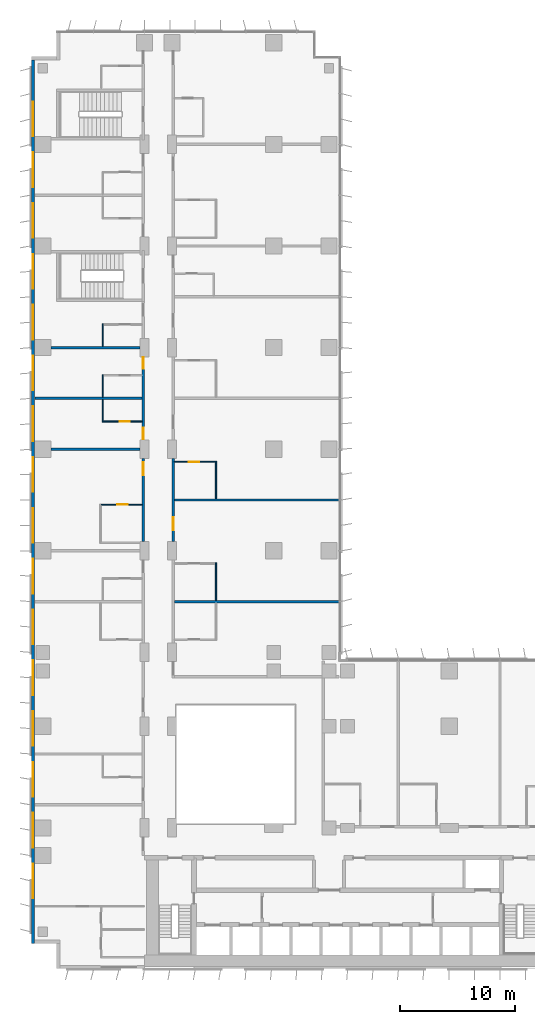
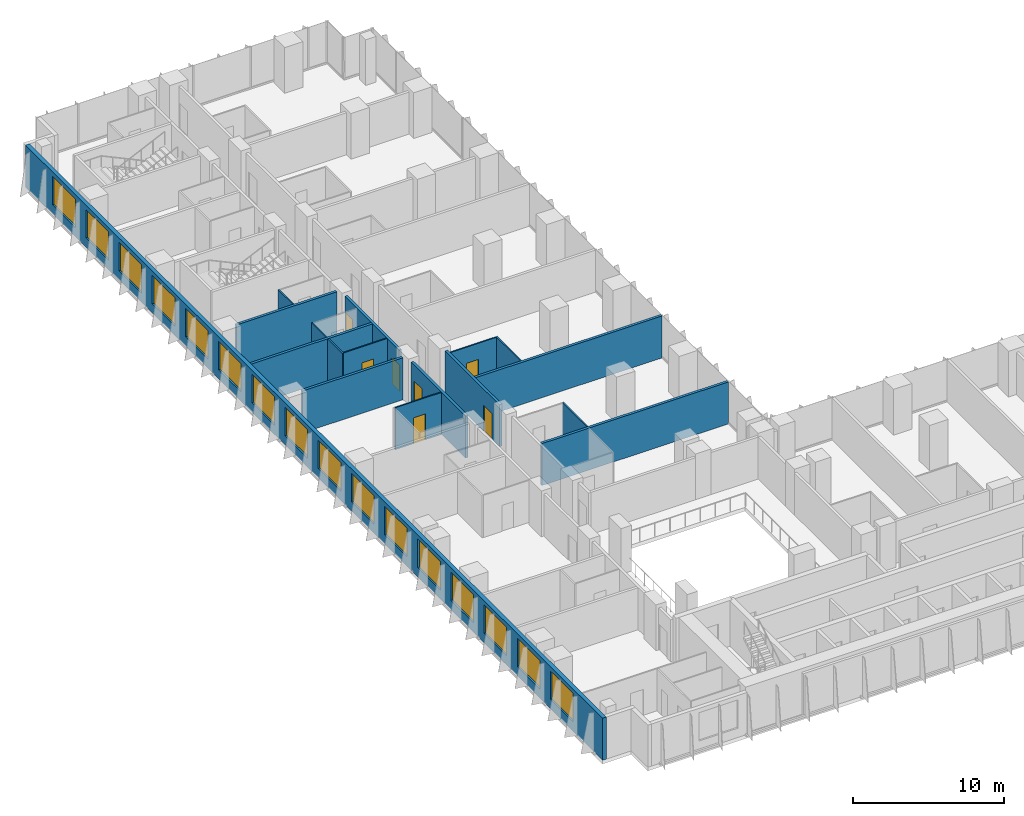
# One storey, part 16 of 24: 17 walls, 16 windows, 7 doors, 23 openings.
"""IFC4 building model written with IfcOpenShell, lengths in metres."""

from ifc_helpers import new_model, si_unit, direction, frame, frame_2d, origin, place, context, subcontext, project, spatial, rectangle, extrude, material, layer, layer_set, type_object, element, fill, save


model = new_model("IFC4")

# Units and contexts
model_context = context("Model", 3, precision=1e-05, world=origin(), true_north=direction((0.0, 1.0)))
body_context = subcontext(model_context, "Body", "Model", "MODEL_VIEW")
ifc_project = project(units=[si_unit("LENGTHUNIT", "METRE"), si_unit("AREAUNIT", "SQUARE_METRE"), si_unit("VOLUMEUNIT", "CUBIC_METRE"), si_unit("PLANEANGLEUNIT", "RADIAN"), si_unit("MASSUNIT", "GRAM", prefix="KILO")], contexts=[model_context])

# Site, building, storey
site_placement = place(None, origin())
site = spatial("IfcSite", under=ifc_project, at=site_placement, CompositionType="ELEMENT")
building_placement = place(site_placement, origin())
building = spatial("IfcBuilding", under=site, at=building_placement, Name="Kemantara Hotel Tower", CompositionType="ELEMENT")
storey_placement = place(building_placement, frame((0.0, 0.0, 48.800048828125)))
storey = spatial("IfcBuildingStorey", under=building, at=storey_placement, Name="L10", CompositionType="ELEMENT", Elevation=48.800048828125)

# Wall, openings, windows
ifc_material_1 = material(Name="Bronze anodised aluminium cladding on insulated steel stud wall", Category="steel")
ifc_layer_1 = layer(ifc_material_1, 0.300048828125)
ifc_layer_set_1 = layer_set([ifc_layer_1], Name="Bronze anodised aluminium cladding on insulated steel stud wall")
wall_type_1 = type_object("IfcWallType", Name="BRONZE METAL-CLAD EXTERNAL WALL 300", PredefinedType="STANDARD", material=ifc_layer_set_1)
wall_1_placement = place(storey_placement, frame((0.14990234375, 78.699951171875, 0.0), z_axis=(0.0, 0.0, 1.0), x_axis=(0.0, -1.0, 0.0)))
wall_1 = element("IfcWall", 1, at=wall_1_placement, inside=storey, type_object=wall_type_1, Name="EXTERNAL WALL L10 T1-R14", PredefinedType="STANDARD", context=body_context, shape_type="SweptSolid", body=[
    extrude(rectangle(XDim=76.5, YDim=0.300048828125, at=frame_2d((38.25, 0.0))), origin(), (0.0, 0.0, 1.0), 3.39990234375),
])
opening_1_placement = place(wall_1_placement, frame((3.60009765625, 0.0, 0.75)))
opening_1 = element("IfcOpeningElement", 2, at=opening_1_placement, cuts=wall_1, Name="Opening W1", PredefinedType="OPENING", context=body_context, shape_type="SweptSolid", body=[
    extrude(rectangle(XDim=3.0, YDim=2.300048828125, at=frame_2d((1.5, 1.14990234375))), frame((0.0, 0.159912109375, 0.0), z_axis=(0.0, -1.0, 0.0), x_axis=(1.0, 0.0, 0.0)), (0.0, 0.0, 1.0), 0.320068359375),
])
opening_2_placement = place(wall_1_placement, frame((8.0, 0.0, 0.75)))
opening_2 = element("IfcOpeningElement", 3, at=opening_2_placement, cuts=wall_1, Name="Opening W1", PredefinedType="OPENING", context=body_context, shape_type="SweptSolid", body=[
    extrude(rectangle(XDim=3.0, YDim=2.300048828125, at=frame_2d((1.5, 1.14990234375))), frame((0.0, 0.159912109375, 0.0), z_axis=(0.0, -1.0, 0.0), x_axis=(1.0, 0.0, 0.0)), (0.0, 0.0, 1.0), 0.320068359375),
])
opening_3_placement = place(wall_1_placement, frame((12.39990234375, 0.0, 0.75)))
opening_3 = element("IfcOpeningElement", 4, at=opening_3_placement, cuts=wall_1, Name="Opening W1", PredefinedType="OPENING", context=body_context, shape_type="SweptSolid", body=[
    extrude(rectangle(XDim=3.0, YDim=2.300048828125, at=frame_2d((1.5, 1.14990234375))), frame((0.0, 0.159912109375, 0.0), z_axis=(0.0, -1.0, 0.0), x_axis=(1.0, 0.0, 0.0)), (0.0, 0.0, 1.0), 0.320068359375),
])
opening_4_placement = place(wall_1_placement, frame((16.800048828125, 0.0, 0.75)))
opening_4 = element("IfcOpeningElement", 5, at=opening_4_placement, cuts=wall_1, Name="Opening W1", PredefinedType="OPENING", context=body_context, shape_type="SweptSolid", body=[
    extrude(rectangle(XDim=3.0, YDim=2.300048828125, at=frame_2d((1.5, 1.14990234375))), frame((0.0, 0.159912109375, 0.0), z_axis=(0.0, -1.0, 0.0), x_axis=(1.0, 0.0, 0.0)), (0.0, 0.0, 1.0), 0.320068359375),
])
opening_5_placement = place(wall_1_placement, frame((21.199951171875, 0.0, 0.75)))
opening_5 = element("IfcOpeningElement", 6, at=opening_5_placement, cuts=wall_1, Name="Opening W1", PredefinedType="OPENING", context=body_context, shape_type="SweptSolid", body=[
    extrude(rectangle(XDim=3.0, YDim=2.300048828125, at=frame_2d((1.5, 1.14990234375))), frame((0.0, 0.159912109375, 0.0), z_axis=(0.0, -1.0, 0.0), x_axis=(1.0, 0.0, 0.0)), (0.0, 0.0, 1.0), 0.320068359375),
])
opening_6_placement = place(wall_1_placement, frame((25.60009765625, 0.0, 0.75)))
opening_6 = element("IfcOpeningElement", 7, at=opening_6_placement, cuts=wall_1, Name="Opening W1", PredefinedType="OPENING", context=body_context, shape_type="SweptSolid", body=[
    extrude(rectangle(XDim=3.0, YDim=2.300048828125, at=frame_2d((1.5, 1.14990234375))), frame((0.0, 0.159912109375, 0.0), z_axis=(0.0, -1.0, 0.0), x_axis=(1.0, 0.0, 0.0)), (0.0, 0.0, 1.0), 0.320068359375),
])
opening_7_placement = place(wall_1_placement, frame((30.0, 0.0, 0.75)))
opening_7 = element("IfcOpeningElement", 8, at=opening_7_placement, cuts=wall_1, Name="Opening W1", PredefinedType="OPENING", context=body_context, shape_type="SweptSolid", body=[
    extrude(rectangle(XDim=3.0, YDim=2.300048828125, at=frame_2d((1.5, 1.14990234375))), frame((0.0, 0.159912109375, 0.0), z_axis=(0.0, -1.0, 0.0), x_axis=(1.0, 0.0, 0.0)), (0.0, 0.0, 1.0), 0.320068359375),
])
opening_8_placement = place(wall_1_placement, frame((34.39990234375, 0.0, 0.75)))
opening_8 = element("IfcOpeningElement", 9, at=opening_8_placement, cuts=wall_1, Name="Opening W1", PredefinedType="OPENING", context=body_context, shape_type="SweptSolid", body=[
    extrude(rectangle(XDim=3.0, YDim=2.300048828125, at=frame_2d((1.5, 1.14990234375))), frame((0.0, 0.159912109375, 0.0), z_axis=(0.0, -1.0, 0.0), x_axis=(1.0, 0.0, 0.0)), (0.0, 0.0, 1.0), 0.320068359375),
])
opening_9_placement = place(wall_1_placement, frame((38.800048828125, 0.0, 0.75)))
opening_9 = element("IfcOpeningElement", 10, at=opening_9_placement, cuts=wall_1, Name="Opening W1", PredefinedType="OPENING", context=body_context, shape_type="SweptSolid", body=[
    extrude(rectangle(XDim=3.0, YDim=2.300048828125, at=frame_2d((1.5, 1.14990234375))), frame((0.0, 0.159912109375, 0.0), z_axis=(0.0, -1.0, 0.0), x_axis=(1.0, 0.0, 0.0)), (0.0, 0.0, 1.0), 0.320068359375),
])
opening_10_placement = place(wall_1_placement, frame((43.199951171875, 0.0, 0.75)))
opening_10 = element("IfcOpeningElement", 11, at=opening_10_placement, cuts=wall_1, Name="Opening W1", PredefinedType="OPENING", context=body_context, shape_type="SweptSolid", body=[
    extrude(rectangle(XDim=3.0, YDim=2.300048828125, at=frame_2d((1.5, 1.14990234375))), frame((0.0, 0.159912109375, 0.0), z_axis=(0.0, -1.0, 0.0), x_axis=(1.0, 0.0, 0.0)), (0.0, 0.0, 1.0), 0.320068359375),
])
opening_11_placement = place(wall_1_placement, frame((47.60009765625, 0.0, 0.75)))
opening_11 = element("IfcOpeningElement", 12, at=opening_11_placement, cuts=wall_1, Name="Opening W1", PredefinedType="OPENING", context=body_context, shape_type="SweptSolid", body=[
    extrude(rectangle(XDim=3.0, YDim=2.300048828125, at=frame_2d((1.5, 1.14990234375))), frame((0.0, 0.159912109375, 0.0), z_axis=(0.0, -1.0, 0.0), x_axis=(1.0, 0.0, 0.0)), (0.0, 0.0, 1.0), 0.320068359375),
])
opening_12_placement = place(wall_1_placement, frame((52.0, 0.0, 0.75)))
opening_12 = element("IfcOpeningElement", 13, at=opening_12_placement, cuts=wall_1, Name="Opening W1", PredefinedType="OPENING", context=body_context, shape_type="SweptSolid", body=[
    extrude(rectangle(XDim=3.0, YDim=2.300048828125, at=frame_2d((1.5, 1.14990234375))), frame((0.0, 0.159912109375, 0.0), z_axis=(0.0, -1.0, 0.0), x_axis=(1.0, 0.0, 0.0)), (0.0, 0.0, 1.0), 0.320068359375),
])
opening_13_placement = place(wall_1_placement, frame((56.39990234375, 0.0, 0.75)))
opening_13 = element("IfcOpeningElement", 14, at=opening_13_placement, cuts=wall_1, Name="Opening W1", PredefinedType="OPENING", context=body_context, shape_type="SweptSolid", body=[
    extrude(rectangle(XDim=3.0, YDim=2.300048828125, at=frame_2d((1.5, 1.14990234375))), frame((0.0, 0.159912109375, 0.0), z_axis=(0.0, -1.0, 0.0), x_axis=(1.0, 0.0, 0.0)), (0.0, 0.0, 1.0), 0.320068359375),
])
opening_14_placement = place(wall_1_placement, frame((60.800048828125, 0.0, 0.75)))
opening_14 = element("IfcOpeningElement", 15, at=opening_14_placement, cuts=wall_1, Name="Opening W1", PredefinedType="OPENING", context=body_context, shape_type="SweptSolid", body=[
    extrude(rectangle(XDim=3.0, YDim=2.300048828125, at=frame_2d((1.5, 1.14990234375))), frame((0.0, 0.159912109375, 0.0), z_axis=(0.0, -1.0, 0.0), x_axis=(1.0, 0.0, 0.0)), (0.0, 0.0, 1.0), 0.320068359375),
])
opening_15_placement = place(wall_1_placement, frame((65.199951171875, 0.0, 0.75)))
opening_15 = element("IfcOpeningElement", 16, at=opening_15_placement, cuts=wall_1, Name="Opening W1", PredefinedType="OPENING", context=body_context, shape_type="SweptSolid", body=[
    extrude(rectangle(XDim=3.0, YDim=2.300048828125, at=frame_2d((1.5, 1.14990234375))), frame((0.0, 0.159912109375, 0.0), z_axis=(0.0, -1.0, 0.0), x_axis=(1.0, 0.0, 0.0)), (0.0, 0.0, 1.0), 0.320068359375),
])
opening_16_placement = place(wall_1_placement, frame((69.60009765625, 0.0, 0.75)))
opening_16 = element("IfcOpeningElement", 17, at=opening_16_placement, cuts=wall_1, Name="Opening W1", PredefinedType="OPENING", context=body_context, shape_type="SweptSolid", body=[
    extrude(rectangle(XDim=3.0, YDim=2.300048828125, at=frame_2d((1.5, 1.14990234375))), frame((0.0, 0.159912109375, 0.0), z_axis=(0.0, -1.0, 0.0), x_axis=(1.0, 0.0, 0.0)), (0.0, 0.0, 1.0), 0.320068359375),
])
ifc_material_2 = material(Name="Low-E tinted double insulated glass in bronze anodised aluminium frame", Category="aluminium")
window_type = type_object("IfcWindowType", Name="CHICAGO WINDOW, TRIPLE PANEL 3000x2300", PartitioningType="TRIPLE_PANEL_VERTICAL", PredefinedType="WINDOW", material=ifc_material_2)
window_1_placement = place(opening_1_placement, origin())
window_1 = element("IfcWindow", 18, at=window_1_placement, inside=storey, type_object=window_type, Name="CHICAGO WINDOW L10 T1-R14-54", OverallHeight=2.300048828125, OverallWidth=3.0, PartitioningType="SINGLE_PANEL", PredefinedType="WINDOW", context=body_context, shape_type="SweptSolid", body=[
    extrude(rectangle(XDim=3.0, YDim=2.300048828125, at=frame_2d((1.5, 1.14990234375))), frame((0.0, 0.030029296875, 0.0), z_axis=(0.0, -1.0, 0.0), x_axis=(1.0, 0.0, 0.0)), (0.0, 0.0, 1.0), 0.06005859375),
])
fill(opening_1, window_1)
window_2_placement = place(opening_2_placement, origin())
window_2 = element("IfcWindow", 19, at=window_2_placement, inside=storey, type_object=window_type, Name="CHICAGO WINDOW L10 T1-R14-98", OverallHeight=2.300048828125, OverallWidth=3.0, PartitioningType="SINGLE_PANEL", PredefinedType="WINDOW", context=body_context, shape_type="SweptSolid", body=[
    extrude(rectangle(XDim=3.0, YDim=2.300048828125, at=frame_2d((1.5, 1.14990234375))), frame((0.0, 0.030029296875, 0.0), z_axis=(0.0, -1.0, 0.0), x_axis=(1.0, 0.0, 0.0)), (0.0, 0.0, 1.0), 0.06005859375),
])
fill(opening_2, window_2)
window_3_placement = place(opening_3_placement, origin())
window_3 = element("IfcWindow", 20, at=window_3_placement, inside=storey, type_object=window_type, Name="CHICAGO WINDOW L10 T1-R14-142", OverallHeight=2.300048828125, OverallWidth=3.0, PartitioningType="SINGLE_PANEL", PredefinedType="WINDOW", context=body_context, shape_type="SweptSolid", body=[
    extrude(rectangle(XDim=3.0, YDim=2.300048828125, at=frame_2d((1.5, 1.14990234375))), frame((0.0, 0.030029296875, 0.0), z_axis=(0.0, -1.0, 0.0), x_axis=(1.0, 0.0, 0.0)), (0.0, 0.0, 1.0), 0.06005859375),
])
fill(opening_3, window_3)
window_4_placement = place(opening_4_placement, origin())
window_4 = element("IfcWindow", 21, at=window_4_placement, inside=storey, type_object=window_type, Name="CHICAGO WINDOW L10 T1-R14-186", OverallHeight=2.300048828125, OverallWidth=3.0, PartitioningType="SINGLE_PANEL", PredefinedType="WINDOW", context=body_context, shape_type="SweptSolid", body=[
    extrude(rectangle(XDim=3.0, YDim=2.300048828125, at=frame_2d((1.5, 1.14990234375))), frame((0.0, 0.030029296875, 0.0), z_axis=(0.0, -1.0, 0.0), x_axis=(1.0, 0.0, 0.0)), (0.0, 0.0, 1.0), 0.06005859375),
])
fill(opening_4, window_4)
window_5_placement = place(opening_5_placement, origin())
window_5 = element("IfcWindow", 22, at=window_5_placement, inside=storey, type_object=window_type, Name="CHICAGO WINDOW L10 T1-R14-230", OverallHeight=2.300048828125, OverallWidth=3.0, PartitioningType="SINGLE_PANEL", PredefinedType="WINDOW", context=body_context, shape_type="SweptSolid", body=[
    extrude(rectangle(XDim=3.0, YDim=2.300048828125, at=frame_2d((1.5, 1.14990234375))), frame((0.0, 0.030029296875, 0.0), z_axis=(0.0, -1.0, 0.0), x_axis=(1.0, 0.0, 0.0)), (0.0, 0.0, 1.0), 0.06005859375),
])
fill(opening_5, window_5)
window_6_placement = place(opening_6_placement, origin())
window_6 = element("IfcWindow", 23, at=window_6_placement, inside=storey, type_object=window_type, Name="CHICAGO WINDOW L10 T1-R14-274", OverallHeight=2.300048828125, OverallWidth=3.0, PartitioningType="SINGLE_PANEL", PredefinedType="WINDOW", context=body_context, shape_type="SweptSolid", body=[
    extrude(rectangle(XDim=3.0, YDim=2.300048828125, at=frame_2d((1.5, 1.14990234375))), frame((0.0, 0.030029296875, 0.0), z_axis=(0.0, -1.0, 0.0), x_axis=(1.0, 0.0, 0.0)), (0.0, 0.0, 1.0), 0.06005859375),
])
fill(opening_6, window_6)
window_7_placement = place(opening_7_placement, origin())
window_7 = element("IfcWindow", 24, at=window_7_placement, inside=storey, type_object=window_type, Name="CHICAGO WINDOW L10 T1-R14-318", OverallHeight=2.300048828125, OverallWidth=3.0, PartitioningType="SINGLE_PANEL", PredefinedType="WINDOW", context=body_context, shape_type="SweptSolid", body=[
    extrude(rectangle(XDim=3.0, YDim=2.300048828125, at=frame_2d((1.5, 1.14990234375))), frame((0.0, 0.030029296875, 0.0), z_axis=(0.0, -1.0, 0.0), x_axis=(1.0, 0.0, 0.0)), (0.0, 0.0, 1.0), 0.06005859375),
])
fill(opening_7, window_7)
window_8_placement = place(opening_8_placement, origin())
window_8 = element("IfcWindow", 25, at=window_8_placement, inside=storey, type_object=window_type, Name="CHICAGO WINDOW L10 T1-R14-362", OverallHeight=2.300048828125, OverallWidth=3.0, PartitioningType="SINGLE_PANEL", PredefinedType="WINDOW", context=body_context, shape_type="SweptSolid", body=[
    extrude(rectangle(XDim=3.0, YDim=2.300048828125, at=frame_2d((1.5, 1.14990234375))), frame((0.0, 0.030029296875, 0.0), z_axis=(0.0, -1.0, 0.0), x_axis=(1.0, 0.0, 0.0)), (0.0, 0.0, 1.0), 0.06005859375),
])
fill(opening_8, window_8)
window_9_placement = place(opening_9_placement, origin())
window_9 = element("IfcWindow", 26, at=window_9_placement, inside=storey, type_object=window_type, Name="CHICAGO WINDOW L10 T1-R14-406", OverallHeight=2.300048828125, OverallWidth=3.0, PartitioningType="SINGLE_PANEL", PredefinedType="WINDOW", context=body_context, shape_type="SweptSolid", body=[
    extrude(rectangle(XDim=3.0, YDim=2.300048828125, at=frame_2d((1.5, 1.14990234375))), frame((0.0, 0.030029296875, 0.0), z_axis=(0.0, -1.0, 0.0), x_axis=(1.0, 0.0, 0.0)), (0.0, 0.0, 1.0), 0.06005859375),
])
fill(opening_9, window_9)
window_10_placement = place(opening_10_placement, origin())
window_10 = element("IfcWindow", 27, at=window_10_placement, inside=storey, type_object=window_type, Name="CHICAGO WINDOW L10 T1-R14-450", OverallHeight=2.300048828125, OverallWidth=3.0, PartitioningType="SINGLE_PANEL", PredefinedType="WINDOW", context=body_context, shape_type="SweptSolid", body=[
    extrude(rectangle(XDim=3.0, YDim=2.300048828125, at=frame_2d((1.5, 1.14990234375))), frame((0.0, 0.030029296875, 0.0), z_axis=(0.0, -1.0, 0.0), x_axis=(1.0, 0.0, 0.0)), (0.0, 0.0, 1.0), 0.06005859375),
])
fill(opening_10, window_10)
window_11_placement = place(opening_11_placement, origin())
window_11 = element("IfcWindow", 28, at=window_11_placement, inside=storey, type_object=window_type, Name="CHICAGO WINDOW L10 T1-R14-494", OverallHeight=2.300048828125, OverallWidth=3.0, PartitioningType="SINGLE_PANEL", PredefinedType="WINDOW", context=body_context, shape_type="SweptSolid", body=[
    extrude(rectangle(XDim=3.0, YDim=2.300048828125, at=frame_2d((1.5, 1.14990234375))), frame((0.0, 0.030029296875, 0.0), z_axis=(0.0, -1.0, 0.0), x_axis=(1.0, 0.0, 0.0)), (0.0, 0.0, 1.0), 0.06005859375),
])
fill(opening_11, window_11)
window_12_placement = place(opening_12_placement, origin())
window_12 = element("IfcWindow", 29, at=window_12_placement, inside=storey, type_object=window_type, Name="CHICAGO WINDOW L10 T1-R14-538", OverallHeight=2.300048828125, OverallWidth=3.0, PartitioningType="SINGLE_PANEL", PredefinedType="WINDOW", context=body_context, shape_type="SweptSolid", body=[
    extrude(rectangle(XDim=3.0, YDim=2.300048828125, at=frame_2d((1.5, 1.14990234375))), frame((0.0, 0.030029296875, 0.0), z_axis=(0.0, -1.0, 0.0), x_axis=(1.0, 0.0, 0.0)), (0.0, 0.0, 1.0), 0.06005859375),
])
fill(opening_12, window_12)
window_13_placement = place(opening_13_placement, origin())
window_13 = element("IfcWindow", 30, at=window_13_placement, inside=storey, type_object=window_type, Name="CHICAGO WINDOW L10 T1-R14-582", OverallHeight=2.300048828125, OverallWidth=3.0, PartitioningType="SINGLE_PANEL", PredefinedType="WINDOW", context=body_context, shape_type="SweptSolid", body=[
    extrude(rectangle(XDim=3.0, YDim=2.300048828125, at=frame_2d((1.5, 1.14990234375))), frame((0.0, 0.030029296875, 0.0), z_axis=(0.0, -1.0, 0.0), x_axis=(1.0, 0.0, 0.0)), (0.0, 0.0, 1.0), 0.06005859375),
])
fill(opening_13, window_13)
window_14_placement = place(opening_14_placement, origin())
window_14 = element("IfcWindow", 31, at=window_14_placement, inside=storey, type_object=window_type, Name="CHICAGO WINDOW L10 T1-R14-626", OverallHeight=2.300048828125, OverallWidth=3.0, PartitioningType="SINGLE_PANEL", PredefinedType="WINDOW", context=body_context, shape_type="SweptSolid", body=[
    extrude(rectangle(XDim=3.0, YDim=2.300048828125, at=frame_2d((1.5, 1.14990234375))), frame((0.0, 0.030029296875, 0.0), z_axis=(0.0, -1.0, 0.0), x_axis=(1.0, 0.0, 0.0)), (0.0, 0.0, 1.0), 0.06005859375),
])
fill(opening_14, window_14)
window_15_placement = place(opening_15_placement, origin())
window_15 = element("IfcWindow", 32, at=window_15_placement, inside=storey, type_object=window_type, Name="CHICAGO WINDOW L10 T1-R14-670", OverallHeight=2.300048828125, OverallWidth=3.0, PartitioningType="SINGLE_PANEL", PredefinedType="WINDOW", context=body_context, shape_type="SweptSolid", body=[
    extrude(rectangle(XDim=3.0, YDim=2.300048828125, at=frame_2d((1.5, 1.14990234375))), frame((0.0, 0.030029296875, 0.0), z_axis=(0.0, -1.0, 0.0), x_axis=(1.0, 0.0, 0.0)), (0.0, 0.0, 1.0), 0.06005859375),
])
fill(opening_15, window_15)
window_16_placement = place(opening_16_placement, origin())
window_16 = element("IfcWindow", 33, at=window_16_placement, inside=storey, type_object=window_type, Name="CHICAGO WINDOW L10 T1-R14-714", OverallHeight=2.300048828125, OverallWidth=3.0, PartitioningType="SINGLE_PANEL", PredefinedType="WINDOW", context=body_context, shape_type="SweptSolid", body=[
    extrude(rectangle(XDim=3.0, YDim=2.300048828125, at=frame_2d((1.5, 1.14990234375))), frame((0.0, 0.030029296875, 0.0), z_axis=(0.0, -1.0, 0.0), x_axis=(1.0, 0.0, 0.0)), (0.0, 0.0, 1.0), 0.06005859375),
])
fill(opening_16, window_16)

# Wall, opening, door
ifc_material_3 = material(Name="Gypsum board partition, steel studs and mineral wool, 200 mm", Category="steel")
ifc_layer_2 = layer(ifc_material_3, 0.199951171875)
ifc_layer_set_2 = layer_set([ifc_layer_2], Name="Gypsum board partition, steel studs and mineral wool, 200 mm")
wall_type_2 = type_object("IfcWallType", Name="CORRIDOR WALL 200", PredefinedType="PARTITIONING", material=ifc_layer_set_2)
wall_2_placement = place(storey_placement, frame((9.699951171875, 37.0, 0.0), z_axis=(0.0, 0.0, 1.0), x_axis=(0.0, 1.0, 0.0)))
wall_2 = element("IfcWall", 34, at=wall_2_placement, inside=storey, type_object=wall_type_2, Name="CORRIDOR WALL 200 031", PredefinedType="PARTITIONING", context=body_context, shape_type="SweptSolid", body=[
    extrude(rectangle(XDim=7.199951171875, YDim=0.199951171875, at=frame_2d((3.60009765625, 0.0))), origin(), (0.0, 0.0, 1.0), 3.39990234375),
])
opening_17_placement = place(wall_2_placement, frame((5.75, 0.0, 0.0)))
opening_17 = element("IfcOpeningElement", 35, at=opening_17_placement, cuts=wall_2, Name="Opening F03-040", PredefinedType="OPENING", context=body_context, shape_type="SweptSolid", body=[
    extrude(rectangle(XDim=1.10009765625, YDim=2.10009765625, at=frame_2d((0.550048828125, 1.050048828125))), frame((0.0, 0.10986328125, 0.0), z_axis=(0.0, -1.0, 0.0), x_axis=(1.0, 0.0, 0.0)), (0.0, 0.0, 1.0), 0.219970703125),
])
ifc_material_4 = material(Name="Hardwood veneer door leaf with steel frame", Category="steel")
door_type_1 = type_object("IfcDoorType", Name="SUITE ENTRANCE DOOR 1100 X 2100 FD30S", OperationType="NOTDEFINED", PredefinedType="DOOR", material=ifc_material_4)
door_1_placement = place(opening_17_placement, origin())
door_1 = element("IfcDoor", 36, at=door_1_placement, inside=storey, type_object=door_type_1, Name="SUITE ENTRANCE DOOR F03-040", OperationType="SINGLE_SWING_RIGHT", OverallHeight=2.10009765625, OverallWidth=1.10009765625, PredefinedType="DOOR", context=body_context, shape_type="SweptSolid", body=[
    extrude(rectangle(XDim=1.10009765625, YDim=2.10009765625, at=frame_2d((0.550048828125, 1.050048828125))), frame((0.0, 0.02490234375, 0.0), z_axis=(0.0, -1.0, 0.0), x_axis=(1.0, 0.0, 0.0)), (0.0, 0.0, 1.0), 0.050048828125),
])
fill(opening_17, door_1)

# Wall, openings, doors
wall_3_placement = place(storey_placement, frame((9.699951171875, 45.800048828125, 0.0), z_axis=(0.0, 0.0, 1.0), x_axis=(0.0, 1.0, 0.0)))
wall_3 = element("IfcWall", 37, at=wall_3_placement, inside=storey, type_object=wall_type_2, Name="CORRIDOR WALL 200 032", PredefinedType="PARTITIONING", context=body_context, shape_type="SweptSolid", body=[
    extrude(rectangle(XDim=7.199951171875, YDim=0.199951171875, at=frame_2d((3.60009765625, 0.0))), origin(), (0.0, 0.0, 1.0), 3.39990234375),
])
opening_18_placement = place(wall_3_placement, frame((0.0498046875, 0.0, 0.0)))
opening_18 = element("IfcOpeningElement", 38, at=opening_18_placement, cuts=wall_3, Name="Opening F03-042", PredefinedType="OPENING", context=body_context, shape_type="SweptSolid", body=[
    extrude(rectangle(XDim=1.0, YDim=2.10009765625, at=frame_2d((0.5, 1.050048828125))), frame((0.0, 0.10986328125, 0.0), z_axis=(0.0, -1.0, 0.0), x_axis=(1.0, 0.0, 0.0)), (0.0, 0.0, 1.0), 0.219970703125),
])
opening_19_placement = place(wall_3_placement, frame((6.14990234375, 0.0, 0.0)))
opening_19 = element("IfcOpeningElement", 39, at=opening_19_placement, cuts=wall_3, Name="Opening F03-044", PredefinedType="OPENING", context=body_context, shape_type="SweptSolid", body=[
    extrude(rectangle(XDim=1.0, YDim=2.10009765625, at=frame_2d((0.5, 1.050048828125))), frame((0.0, 0.10986328125, 0.0), z_axis=(0.0, -1.0, 0.0), x_axis=(1.0, 0.0, 0.0)), (0.0, 0.0, 1.0), 0.219970703125),
])
door_type_2 = type_object("IfcDoorType", Name="GUEST ROOM DOOR 1000 X 2100 FD30S", OperationType="NOTDEFINED", PredefinedType="DOOR", material=ifc_material_4)
door_2_placement = place(opening_18_placement, origin())
door_2 = element("IfcDoor", 40, at=door_2_placement, inside=storey, type_object=door_type_2, Name="GUEST ROOM DOOR F03-042", OperationType="SINGLE_SWING_LEFT", OverallHeight=2.10009765625, OverallWidth=1.0, PredefinedType="DOOR", context=body_context, shape_type="SweptSolid", body=[
    extrude(rectangle(XDim=1.0, YDim=2.10009765625, at=frame_2d((0.5, 1.050048828125))), frame((0.0, 0.02490234375, 0.0), z_axis=(0.0, -1.0, 0.0), x_axis=(1.0, 0.0, 0.0)), (0.0, 0.0, 1.0), 0.050048828125),
])
fill(opening_18, door_2)
door_3_placement = place(opening_19_placement, origin())
door_3 = element("IfcDoor", 41, at=door_3_placement, inside=storey, type_object=door_type_2, Name="GUEST ROOM DOOR F03-044", OperationType="SINGLE_SWING_RIGHT", OverallHeight=2.10009765625, OverallWidth=1.0, PredefinedType="DOOR", context=body_context, shape_type="SweptSolid", body=[
    extrude(rectangle(XDim=1.0, YDim=2.10009765625, at=frame_2d((0.5, 1.050048828125))), frame((0.0, 0.02490234375, 0.0), z_axis=(0.0, -1.0, 0.0), x_axis=(1.0, 0.0, 0.0)), (0.0, 0.0, 1.0), 0.050048828125),
])
fill(opening_19, door_3)

# Wall, opening, door
wall_4_placement = place(storey_placement, frame((12.300048828125, 44.199951171875, 0.0), z_axis=(0.0, 0.0, 1.0), x_axis=(0.0, -1.0, 0.0)))
wall_4 = element("IfcWall", 42, at=wall_4_placement, inside=storey, type_object=wall_type_2, Name="CORRIDOR WALL 200 048", PredefinedType="PARTITIONING", context=body_context, shape_type="SweptSolid", body=[
    extrude(rectangle(XDim=7.199951171875, YDim=0.199951171875, at=frame_2d((3.60009765625, 0.0))), origin(), (0.0, 0.0, 1.0), 3.39990234375),
])
opening_20_placement = place(wall_4_placement, frame((5.099853515625, 0.0, 0.0)))
opening_20 = element("IfcOpeningElement", 43, at=opening_20_placement, cuts=wall_4, Name="Opening F03-056", PredefinedType="OPENING", context=body_context, shape_type="SweptSolid", body=[
    extrude(rectangle(XDim=1.10009765625, YDim=2.10009765625, at=frame_2d((0.550048828125, 1.050048828125))), frame((0.0, 0.10986328125, 0.0), z_axis=(0.0, -1.0, 0.0), x_axis=(1.0, 0.0, 0.0)), (0.0, 0.0, 1.0), 0.219970703125),
])
door_4_placement = place(opening_20_placement, origin())
door_4 = element("IfcDoor", 44, at=door_4_placement, inside=storey, type_object=door_type_1, Name="SUITE ENTRANCE DOOR F03-056", OperationType="SINGLE_SWING_LEFT", OverallHeight=2.10009765625, OverallWidth=1.10009765625, PredefinedType="DOOR", context=body_context, shape_type="SweptSolid", body=[
    extrude(rectangle(XDim=1.10009765625, YDim=2.10009765625, at=frame_2d((0.550048828125, 1.050048828125))), frame((0.0, 0.02490234375, 0.0), z_axis=(0.0, -1.0, 0.0), x_axis=(1.0, 0.0, 0.0)), (0.0, 0.0, 1.0), 0.050048828125),
])
fill(opening_20, door_4)

# Walls
ifc_layer_3 = layer(ifc_material_3, 0.199951171875)
ifc_layer_set_3 = layer_set([ifc_layer_3], Name="Gypsum board partition, steel studs and mineral wool, 200 mm")
wall_type_3 = type_object("IfcWallType", Name="GUEST ROOM PARTY WALL 200", PredefinedType="PARTITIONING", material=ifc_layer_set_3)
wall_5_placement = place(storey_placement, frame((12.39990234375, 31.800048828125, 0.0), z_axis=(0.0, 0.0, 1.0), x_axis=(1.0, 0.0, 0.0)))
element("IfcWall", 45, at=wall_5_placement, inside=storey, type_object=wall_type_3, Name="GUEST ROOM PARTY WALL 200 039", PredefinedType="PARTITIONING", context=body_context, shape_type="SweptSolid", body=[
    extrude(rectangle(XDim=14.27001953125, YDim=0.199951171875, at=frame_2d((7.135009765625, 0.0))), origin(), (0.0, 0.0, 1.0), 3.39990234375),
])
wall_6_placement = place(storey_placement, frame((1.7001953125, 45.0, 0.0), z_axis=(0.0, 0.0, 1.0), x_axis=(1.0, 0.0, 0.0)))
element("IfcWall", 46, at=wall_6_placement, inside=storey, type_object=wall_type_3, Name="GUEST ROOM PARTY WALL 200 041", PredefinedType="PARTITIONING", context=body_context, shape_type="SweptSolid", body=[
    extrude(rectangle(XDim=7.69970703125, YDim=0.199951171875, at=frame_2d((3.849853515625, 0.0))), origin(), (0.0, 0.0, 1.0), 3.39990234375),
])
wall_7_placement = place(storey_placement, frame((0.31005859375, 49.39990234375, 0.0), z_axis=(0.0, 0.0, 1.0), x_axis=(1.0, 0.0, 0.0)))
element("IfcWall", 47, at=wall_7_placement, inside=storey, type_object=wall_type_3, Name="GUEST ROOM PARTY WALL 200 042", PredefinedType="PARTITIONING", context=body_context, shape_type="SweptSolid", body=[
    extrude(rectangle(XDim=9.2900390625, YDim=0.199951171875, at=frame_2d((4.64501953125, 0.0))), origin(), (0.0, 0.0, 1.0), 3.39990234375),
])
wall_8_placement = place(storey_placement, frame((1.7001953125, 53.800048828125, 0.0), z_axis=(0.0, 0.0, 1.0), x_axis=(1.0, 0.0, 0.0)))
element("IfcWall", 48, at=wall_8_placement, inside=storey, type_object=wall_type_3, Name="GUEST ROOM PARTY WALL 200 044", PredefinedType="PARTITIONING", context=body_context, shape_type="SweptSolid", body=[
    extrude(rectangle(XDim=7.69970703125, YDim=0.199951171875, at=frame_2d((3.849853515625, 0.0))), origin(), (0.0, 0.0, 1.0), 3.39990234375),
])
wall_9_placement = place(storey_placement, frame((12.39990234375, 40.60009765625, 0.0), z_axis=(0.0, 0.0, 1.0), x_axis=(1.0, 0.0, 0.0)))
element("IfcWall", 49, at=wall_9_placement, inside=storey, type_object=wall_type_3, Name="GUEST ROOM PARTY WALL 200 056", PredefinedType="PARTITIONING", context=body_context, shape_type="SweptSolid", body=[
    extrude(rectangle(XDim=14.27001953125, YDim=0.199951171875, at=frame_2d((7.135009765625, 0.0))), origin(), (0.0, 0.0, 1.0), 3.39990234375),
])
ifc_material_5 = material(Name="Gypsum board partition on steel studs, 100 mm", Category="steel")
ifc_layer_4 = layer(ifc_material_5, 0.10009765625)
ifc_layer_set_4 = layer_set([ifc_layer_4], Name="Gypsum board partition on steel studs, 100 mm")
wall_type_4 = type_object("IfcWallType", Name="ROOM PARTITION 100", PredefinedType="PARTITIONING", material=ifc_layer_set_4)
for number, where, z_axis, x_axis, name in (
    (50, (6.199951171875, 47.35009765625, 0.0), (0.0, 0.0, 1.0), (0.0, 1.0, 0.0), "ROOM PARTITION 100 098"),
    (51, (6.199951171875, 49.5, 0.0), (0.0, 0.0, 1.0), (0.0, 1.0, 0.0), "ROOM PARTITION 100 099"),
):
    element("IfcWall", number, at=place(storey_placement, frame(where, z_axis=z_axis, x_axis=x_axis)), inside=storey, type_object=wall_type_4, Name=name, PredefinedType="PARTITIONING", context=body_context, shape_type="SweptSolid", body=[
        extrude(rectangle(XDim=1.949951171875, YDim=0.10009765625, at=frame_2d((0.97509765625, 0.0))), origin(), (0.0, 0.0, 1.0), 3.39990234375),
    ])
wall_10_placement = place(storey_placement, frame((6.199951171875, 53.89990234375, 0.0), z_axis=(0.0, 0.0, 1.0), x_axis=(0.0, 1.0, 0.0)))
element("IfcWall", 52, at=wall_10_placement, inside=storey, type_object=wall_type_4, Name="ROOM PARTITION 100 100", PredefinedType="PARTITIONING", context=body_context, shape_type="SweptSolid", body=[
    extrude(rectangle(XDim=1.9501953125, YDim=0.10009765625, at=frame_2d((0.97509765625, 0.0))), origin(), (0.0, 0.0, 1.0), 3.39990234375),
])

# Wall, opening, door
wall_11_placement = place(storey_placement, frame((9.60009765625, 40.199951171875, 0.0), z_axis=(0.0, 0.0, 1.0), x_axis=(-1.0, 0.0, 0.0)))
wall_11 = element("IfcWall", 53, at=wall_11_placement, inside=storey, type_object=wall_type_4, Name="ROOM PARTITION 100 110", PredefinedType="PARTITIONING", context=body_context, shape_type="SweptSolid", body=[
    extrude(rectangle(XDim=3.550048828125, YDim=0.10009765625, at=frame_2d((1.77490234375, 0.0))), origin(), (0.0, 0.0, 1.0), 3.39990234375),
])
opening_21_placement = place(wall_11_placement, frame((1.25, 0.0, 0.0)))
opening_21 = element("IfcOpeningElement", 54, at=opening_21_placement, cuts=wall_11, Name="Opening F03-041", PredefinedType="OPENING", context=body_context, shape_type="SweptSolid", body=[
    extrude(rectangle(XDim=0.89990234375, YDim=2.10009765625, at=frame_2d((0.449951171875, 1.050048828125))), frame((0.0, 0.06005859375, 0.0), z_axis=(0.0, -1.0, 0.0), x_axis=(1.0, 0.0, 0.0)), (0.0, 0.0, 1.0), 0.1201171875),
])
door_type_3 = type_object("IfcDoorType", Name="BATHROOM DOOR 900 X 2100", OperationType="NOTDEFINED", PredefinedType="DOOR", material=ifc_material_4)
door_5_placement = place(opening_21_placement, origin())
door_5 = element("IfcDoor", 55, at=door_5_placement, inside=storey, type_object=door_type_3, Name="BATHROOM DOOR F03-041", OperationType="SINGLE_SWING_LEFT", OverallHeight=2.10009765625, OverallWidth=0.89990234375, PredefinedType="DOOR", context=body_context, shape_type="SweptSolid", body=[
    extrude(rectangle(XDim=0.89990234375, YDim=2.10009765625, at=frame_2d((0.449951171875, 1.050048828125))), frame((0.0, 0.02490234375, 0.0), z_axis=(0.0, -1.0, 0.0), x_axis=(1.0, 0.0, 0.0)), (0.0, 0.0, 1.0), 0.050048828125),
])
fill(opening_21, door_5)

wall_12_placement = place(storey_placement, frame((6.25, 47.39990234375, 0.0), z_axis=(0.0, 0.0, 1.0), x_axis=(1.0, 0.0, 0.0)))
wall_12 = element("IfcWall", 56, at=wall_12_placement, inside=storey, type_object=wall_type_4, Name="ROOM PARTITION 100 111", PredefinedType="PARTITIONING", context=body_context, shape_type="SweptSolid", body=[
    extrude(rectangle(XDim=3.35009765625, YDim=0.10009765625, at=frame_2d((1.675048828125, 0.0))), origin(), (0.0, 0.0, 1.0), 3.39990234375),
])
opening_22_placement = place(wall_12_placement, frame((1.39990234375, 0.0, 0.0)))
opening_22 = element("IfcOpeningElement", 57, at=opening_22_placement, cuts=wall_12, Name="Opening F03-043", PredefinedType="OPENING", context=body_context, shape_type="SweptSolid", body=[
    extrude(rectangle(XDim=0.89990234375, YDim=2.10009765625, at=frame_2d((0.449951171875, 1.050048828125))), frame((0.0, 0.06005859375, 0.0), z_axis=(0.0, -1.0, 0.0), x_axis=(1.0, 0.0, 0.0)), (0.0, 0.0, 1.0), 0.1201171875),
])
door_6_placement = place(opening_22_placement, origin())
door_6 = element("IfcDoor", 58, at=door_6_placement, inside=storey, type_object=door_type_3, Name="BATHROOM DOOR F03-043", OperationType="SINGLE_SWING_RIGHT", OverallHeight=2.10009765625, OverallWidth=0.89990234375, PredefinedType="DOOR", context=body_context, shape_type="SweptSolid", body=[
    extrude(rectangle(XDim=0.89990234375, YDim=2.10009765625, at=frame_2d((0.449951171875, 1.050048828125))), frame((0.0, 0.02490234375, 0.0), z_axis=(0.0, -1.0, 0.0), x_axis=(1.0, 0.0, 0.0)), (0.0, 0.0, 1.0), 0.050048828125),
])
fill(opening_22, door_6)

# Walls
for number, where, z_axis, x_axis, name in (
    (59, (16.0, 31.89990234375, 0.0), (0.0, 0.0, 1.0), (0.0, 1.0, 0.0), "ROOM PARTITION 100 118"),
    (60, (16.0, 40.699951171875, 0.0), (0.0, 0.0, 1.0), (0.0, 1.0, 0.0), "ROOM PARTITION 100 119"),
):
    element("IfcWall", number, at=place(storey_placement, frame(where, z_axis=z_axis, x_axis=x_axis)), inside=storey, type_object=wall_type_4, Name=name, PredefinedType="PARTITIONING", context=body_context, shape_type="SweptSolid", body=[
        extrude(rectangle(XDim=3.25, YDim=0.10009765625, at=frame_2d((1.625, 0.0))), origin(), (0.0, 0.0, 1.0), 3.39990234375),
    ])

# Wall, opening, door
wall_13_placement = place(storey_placement, frame((15.949951171875, 43.89990234375, 0.0), z_axis=(0.0, 0.0, 1.0), x_axis=(-1.0, 0.0, 0.0)))
wall_13 = element("IfcWall", 61, at=wall_13_placement, inside=storey, type_object=wall_type_4, Name="ROOM PARTITION 100 123", PredefinedType="PARTITIONING", context=body_context, shape_type="SweptSolid", body=[
    extrude(rectangle(XDim=3.550048828125, YDim=0.10009765625, at=frame_2d((1.77490234375, 0.0))), origin(), (0.0, 0.0, 1.0), 3.39990234375),
])
opening_23_placement = place(wall_13_placement, frame((1.39990234375, 0.0, 0.0)))
opening_23 = element("IfcOpeningElement", 62, at=opening_23_placement, cuts=wall_13, Name="Opening F03-059", PredefinedType="OPENING", context=body_context, shape_type="SweptSolid", body=[
    extrude(rectangle(XDim=0.89990234375, YDim=2.10009765625, at=frame_2d((0.449951171875, 1.050048828125))), frame((0.0, 0.06005859375, 0.0), z_axis=(0.0, -1.0, 0.0), x_axis=(1.0, 0.0, 0.0)), (0.0, 0.0, 1.0), 0.1201171875),
])
door_7_placement = place(opening_23_placement, origin())
door_7 = element("IfcDoor", 63, at=door_7_placement, inside=storey, type_object=door_type_3, Name="BATHROOM DOOR F03-059", OperationType="SINGLE_SWING_RIGHT", OverallHeight=2.10009765625, OverallWidth=0.89990234375, PredefinedType="DOOR", context=body_context, shape_type="SweptSolid", body=[
    extrude(rectangle(XDim=0.89990234375, YDim=2.10009765625, at=frame_2d((0.449951171875, 1.050048828125))), frame((0.0, 0.02490234375, 0.0), z_axis=(0.0, -1.0, 0.0), x_axis=(1.0, 0.0, 0.0)), (0.0, 0.0, 1.0), 0.050048828125),
])
fill(opening_23, door_7)

save(model, "model.ifc")
